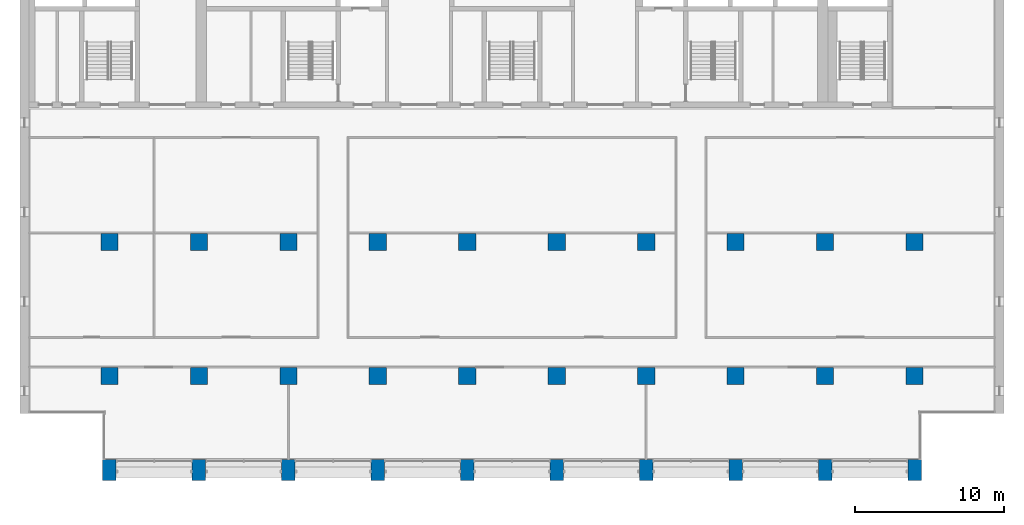
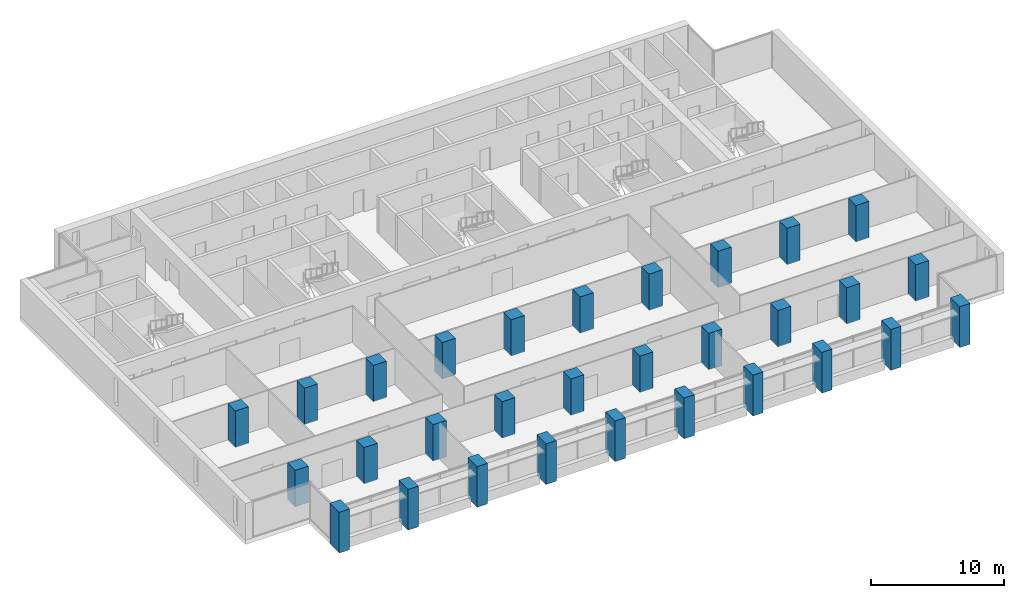
# One storey, part 1 of 16: 30 columns.
"""IFC4 building model written with IfcOpenShell, lengths in metres."""

from ifc_helpers import new_model, si_unit, direction, frame, origin, origin_2d, place, context, subcontext, project, spatial, rectangle, extrude, material, material_profile, profile_set, type_object, element, save


model = new_model("IFC4")

# Units and contexts
model_context = context("Model", 3, precision=1e-05, world=origin(), true_north=direction((0.0, 1.0)))
body_context = subcontext(model_context, "Body", "Model", "MODEL_VIEW")
ifc_project = project(units=[si_unit("LENGTHUNIT", "METRE"), si_unit("AREAUNIT", "SQUARE_METRE"), si_unit("VOLUMEUNIT", "CUBIC_METRE"), si_unit("PLANEANGLEUNIT", "RADIAN"), si_unit("MASSUNIT", "GRAM", prefix="KILO")], contexts=[model_context])

# Site, building, storey
site_placement = place(None, origin())
site = spatial("IfcSite", under=ifc_project, at=site_placement, CompositionType="ELEMENT")
building_placement = place(site_placement, origin())
building = spatial("IfcBuilding", under=site, at=building_placement, Name="Calvaro Tower", CompositionType="ELEMENT")
storey_placement = place(building_placement, frame((0.0, 0.0, 181.75)))
storey = spatial("IfcBuildingStorey", under=building, at=storey_placement, Name="L45", CompositionType="ELEMENT", Elevation=181.75)

# Columns
ifc_material_1 = material(Name="Concrete C50/60", Category="concrete")
ifc_material_profile_1 = material_profile(ifc_material_1, rectangle(XDim=1.14990234375, YDim=1.14990234375, at=origin_2d()), Name="RC 1150x1150")
ifc_profile_set_1 = profile_set([ifc_material_profile_1], Name="Concrete C50/60")
column_type_1 = type_object("IfcColumnType", Name="Column 1150x1150 C50/60", PredefinedType="COLUMN", material=ifc_profile_set_1)
for number, where, z_axis, x_axis, name in (
    (1, (12.0, 10.0, 0.0), (0.0, 0.0, 1.0), (1.0, 0.0, 0.0), "Column 3B"),
    (2, (12.0, 19.0, 0.0), (0.0, 0.0, 1.0), (1.0, 0.0, 0.0), "Column 3C"),
    (3, (18.0, 10.0, 0.0), (0.0, 0.0, 1.0), (1.0, 0.0, 0.0), "Column 4B"),
    (4, (18.0, 19.0, 0.0), (0.0, 0.0, 1.0), (1.0, 0.0, 0.0), "Column 4C"),
    (5, (24.0, 10.0, 0.0), (0.0, 0.0, 1.0), (1.0, 0.0, 0.0), "Column 5B"),
    (6, (24.0, 19.0, 0.0), (0.0, 0.0, 1.0), (1.0, 0.0, 0.0), "Column 5C"),
    (7, (30.0, 10.0, 0.0), (0.0, 0.0, 1.0), (1.0, 0.0, 0.0), "Column 6B"),
    (8, (30.0, 19.0, 0.0), (0.0, 0.0, 1.0), (1.0, 0.0, 0.0), "Column 6C"),
    (9, (36.0, 10.0, 0.0), (0.0, 0.0, 1.0), (1.0, 0.0, 0.0), "Column 7B"),
    (10, (36.0, 19.0, 0.0), (0.0, 0.0, 1.0), (1.0, 0.0, 0.0), "Column 7C"),
    (11, (42.0, 10.0, 0.0), (0.0, 0.0, 1.0), (1.0, 0.0, 0.0), "Column 8B"),
    (12, (42.0, 19.0, 0.0), (0.0, 0.0, 1.0), (1.0, 0.0, 0.0), "Column 8C"),
    (13, (48.0, 10.0, 0.0), (0.0, 0.0, 1.0), (1.0, 0.0, 0.0), "Column 9B"),
    (14, (48.0, 19.0, 0.0), (0.0, 0.0, 1.0), (1.0, 0.0, 0.0), "Column 9C"),
    (15, (54.0, 10.0, 0.0), (0.0, 0.0, 1.0), (1.0, 0.0, 0.0), "Column 10B"),
    (16, (54.0, 19.0, 0.0), (0.0, 0.0, 1.0), (1.0, 0.0, 0.0), "Column 10C"),
    (17, (60.0, 10.0, 0.0), (0.0, 0.0, 1.0), (1.0, 0.0, 0.0), "Column 11B"),
    (18, (60.0, 19.0, 0.0), (0.0, 0.0, 1.0), (1.0, 0.0, 0.0), "Column 11C"),
    (19, (66.0, 10.0, 0.0), (0.0, 0.0, 1.0), (1.0, 0.0, 0.0), "Column 12B"),
    (20, (66.0, 19.0, 0.0), (0.0, 0.0, 1.0), (1.0, 0.0, 0.0), "Column 12C"),
):
    element("IfcColumn", number, at=place(storey_placement, frame(where, z_axis=z_axis, x_axis=x_axis)), inside=storey, type_object=column_type_1, Name=name, PredefinedType="COLUMN", context=body_context, shape_type="SweptSolid", body=[
        extrude(rectangle(XDim=1.14990234375, YDim=1.14990234375, at=origin_2d()), origin(), (0.0, 0.0, 1.0), 3.35009765625),
    ])
ifc_material_2 = material(Name="Concrete C50/60", Category="concrete")
ifc_material_profile_2 = material_profile(ifc_material_2, rectangle(XDim=0.89990234375, YDim=1.39990234375, at=origin_2d()), Name="RC 900x1400")
ifc_profile_set_2 = profile_set([ifc_material_profile_2], Name="Concrete C50/60")
column_type_2 = type_object("IfcColumnType", Name="Pier 900x1400 C50/60", PredefinedType="COLUMN", material=ifc_profile_set_2)
for number, where, z_axis, x_axis, name in (
    (21, (12.0, 3.699951171875, -0.39990234375), (0.0, 0.0, 1.0), (1.0, 0.0, 0.0), "South pier 3"),
    (22, (18.0, 3.699951171875, -0.39990234375), (0.0, 0.0, 1.0), (1.0, 0.0, 0.0), "South pier 4"),
    (23, (24.0, 3.699951171875, -0.39990234375), (0.0, 0.0, 1.0), (1.0, 0.0, 0.0), "South pier 5"),
    (24, (30.0, 3.699951171875, -0.39990234375), (0.0, 0.0, 1.0), (1.0, 0.0, 0.0), "South pier 6"),
    (25, (36.0, 3.699951171875, -0.39990234375), (0.0, 0.0, 1.0), (1.0, 0.0, 0.0), "South pier 7"),
    (26, (42.0, 3.699951171875, -0.39990234375), (0.0, 0.0, 1.0), (1.0, 0.0, 0.0), "South pier 8"),
    (27, (48.0, 3.699951171875, -0.39990234375), (0.0, 0.0, 1.0), (1.0, 0.0, 0.0), "South pier 9"),
    (28, (54.0, 3.699951171875, -0.39990234375), (0.0, 0.0, 1.0), (1.0, 0.0, 0.0), "South pier 10"),
    (29, (60.0, 3.699951171875, -0.39990234375), (0.0, 0.0, 1.0), (1.0, 0.0, 0.0), "South pier 11"),
    (30, (66.0, 3.699951171875, -0.39990234375), (0.0, 0.0, 1.0), (1.0, 0.0, 0.0), "South pier 12"),
):
    element("IfcColumn", number, at=place(storey_placement, frame(where, z_axis=z_axis, x_axis=x_axis)), inside=storey, type_object=column_type_2, Name=name, PredefinedType="COLUMN", context=body_context, shape_type="SweptSolid", body=[
        extrude(rectangle(XDim=0.89990234375, YDim=1.39990234375, at=origin_2d()), origin(), (0.0, 0.0, 1.0), 3.75),
    ])

save(model, "model.ifc")
